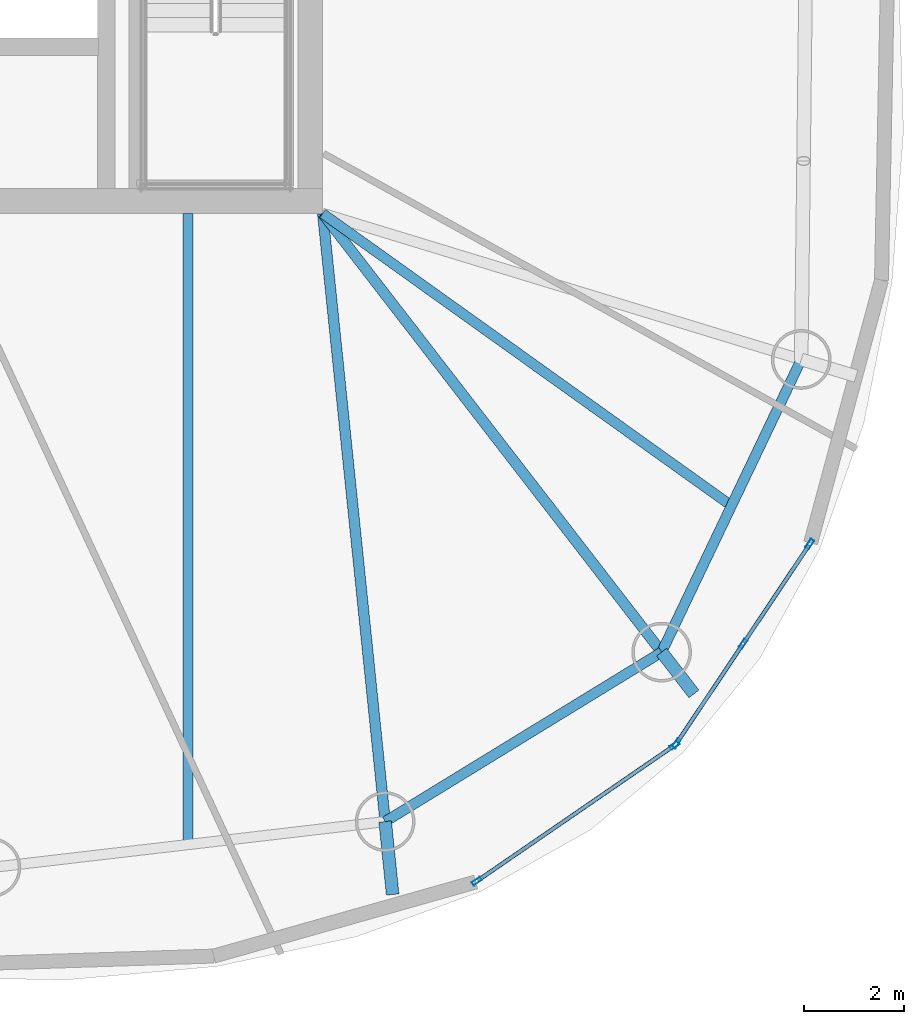
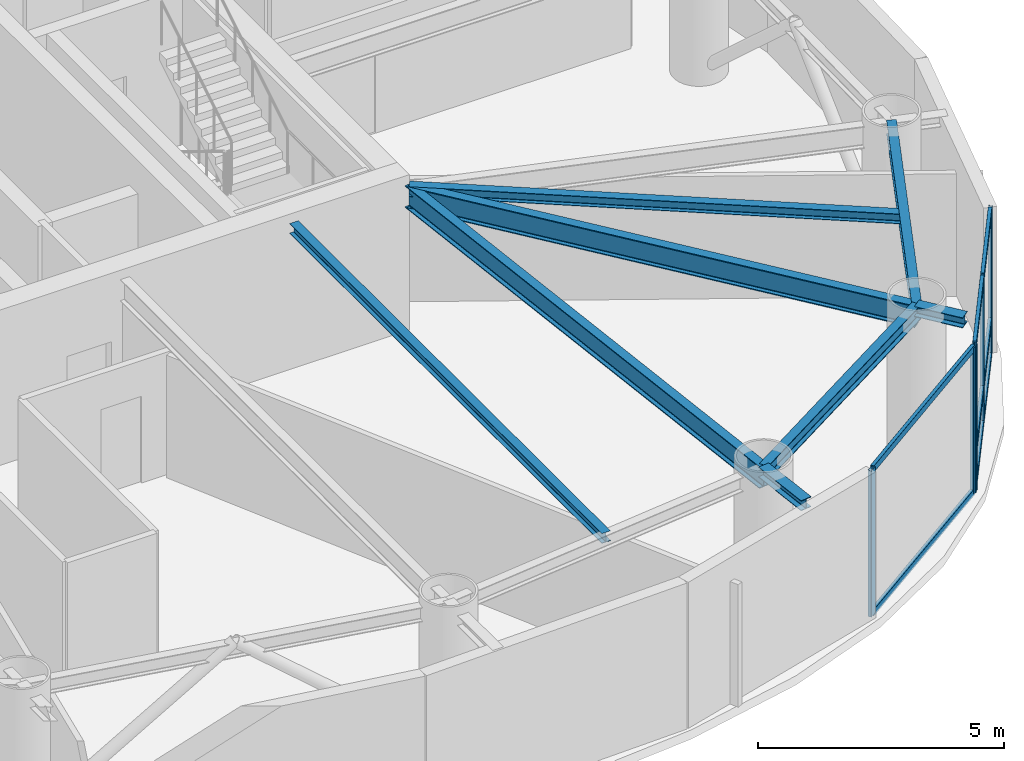
# One storey, part 4 of 16: 13 members, 8 beams, 2 elements without a shape of their own.
"""IFC4 building model written with IfcOpenShell, lengths in metres."""

import ifcopenshell
import ifcopenshell.guid

model = None  # the IFC model being written
_history = None  # IfcOwnerHistory: only IFC2X3 demands one
_inside = {}  # id of a spatial element -> (the spatial element, [elements in it])
_under = {}  # id of a project, library or spatial element -> (it, [spatial elements below it])
_declared = {}  # id of a project -> (the project, [libraries it declares])
_typed = {}  # id of a type object -> (the type object, [elements of that type])
_made_of = {}  # id of a material, layer set ... -> (it, [elements and type objects made of it])


def new_model(schema):
    """Start an empty IFC model of exactly this schema.

    Asked for "IFC4X3", IfcOpenShell would pick the latest addendum, in which some entities
    have other attributes; the version numbers below select the first issue.
    IFC2X3 requires an IfcOwnerHistory on every rooted entity: one is made here for all.
    """
    global model, _history
    if schema == "IFC4X3":
        model = ifcopenshell.file(schema_version=(4, 3, 0, 0))
    else:
        model = ifcopenshell.file(schema=schema)
    _inside.clear()
    _under.clear()
    _declared.clear()
    _typed.clear()
    _made_of.clear()
    _history = None
    if model.schema == "IFC2X3":
        org = make("IfcOrganization", Name="unknown")
        user = make(
            "IfcPersonAndOrganization",
            ThePerson=make("IfcPerson", FamilyName="unknown"),
            TheOrganization=org,
        )
        app = make(
            "IfcApplication",
            ApplicationDeveloper=org,
            Version="unknown",
            ApplicationFullName="unknown",
            ApplicationIdentifier="unknown",
        )
        _history = make(
            "IfcOwnerHistory",
            OwningUser=user,
            OwningApplication=app,
            ChangeAction="ADDED",
            CreationDate=0,
        )
    return model


def make(cls, **values):
    """One entity of the class cls with the attributes given. An attribute that is None is left unset."""
    return model.create_entity(
        cls, **{name: value for name, value in values.items() if value is not None}
    )


def rooted(cls, **values):
    """An entity with a GlobalId (a new one), such as an element, a storey or a relation."""
    return make(cls, GlobalId=ifcopenshell.guid.new(), OwnerHistory=_history, **values)


def si_unit(unit_type, name, prefix=None):
    """IfcSIUnit, for example si_unit("LENGTHUNIT", "METRE", prefix="MILLI")."""
    return make("IfcSIUnit", UnitType=unit_type, Prefix=prefix, Name=name)


def assignment(units):
    """IfcUnitAssignment: the units of a project."""
    return None if units is None else make("IfcUnitAssignment", Units=units)


def point(xyz):
    """IfcCartesianPoint."""
    return None if xyz is None else make("IfcCartesianPoint", Coordinates=xyz)


def direction(xyz):
    """IfcDirection."""
    return None if xyz is None else make("IfcDirection", DirectionRatios=xyz)


def frame(location, z_axis=None, x_axis=None):
    """IfcAxis2Placement3D, a coordinate frame: its origin and axes. An axis left out is left unset."""
    return make(
        "IfcAxis2Placement3D",
        Location=point(location),
        Axis=direction(z_axis),
        RefDirection=direction(x_axis),
    )


def frame_2d(location, x_axis=None):
    """IfcAxis2Placement2D, a coordinate frame in the plane: its origin and x axis."""
    return make(
        "IfcAxis2Placement2D", Location=point(location), RefDirection=direction(x_axis)
    )


def origin():
    """The frame at (0, 0, 0) with its axes left unset."""
    return frame((0.0, 0.0, 0.0))


def origin_2d():
    """The frame at (0, 0) in the plane with its x axis left unset."""
    return frame_2d((0.0, 0.0))


def place(relative_to, where):
    """IfcLocalPlacement: puts the frame where relative to a parent placement (None: the world)."""
    return make(
        "IfcLocalPlacement", PlacementRelTo=relative_to, RelativePlacement=where
    )


def context(
    kind, dimensions, precision=None, world=None, true_north=None, identifier=None
):
    """IfcGeometricRepresentationContext, for example the 3D "Model" context."""
    return make(
        "IfcGeometricRepresentationContext",
        ContextIdentifier=identifier,
        ContextType=kind,
        CoordinateSpaceDimension=dimensions,
        Precision=precision,
        WorldCoordinateSystem=world,
        TrueNorth=true_north,
    )


def subcontext(parent, identifier, kind, view, scale=None):
    """IfcGeometricRepresentationSubContext, for example "Body" below "Model"."""
    return make(
        "IfcGeometricRepresentationSubContext",
        ContextIdentifier=identifier,
        ContextType=kind,
        ParentContext=parent,
        TargetScale=scale,
        TargetView=view,
    )


def project(units=None, contexts=None):
    """IfcProject with its units and contexts."""
    return rooted(
        "IfcProject",
        Name="project",
        RepresentationContexts=contexts,
        UnitsInContext=assignment(units),
    )


def spatial(cls, under=None, at=None, **own):
    """A site, building, storey or space (cls), placed at a placement, below another one or the project."""
    s = rooted(cls, ObjectPlacement=at, **own)
    if under is not None:
        _under.setdefault(under.id(), (under, []))[1].append(s)
    return s


def profile(cls, at=None, kind="AREA", **sizes):
    """A parametric profile (cls). Its sizes go by their IFC names, for example OverallWidth=200.0."""
    return make(cls, ProfileType=kind, Position=at, **sizes)


def hollow_rectangle(**sizes):
    """IfcRectangleHollowProfileDef."""
    return profile("IfcRectangleHollowProfileDef", **sizes)


def i_section(**sizes):
    """IfcIShapeProfileDef."""
    return profile("IfcIShapeProfileDef", **sizes)


def extrude(swept, where, along, depth):
    """IfcExtrudedAreaSolid: the profile swept, set in the frame where, extruded along a direction by depth."""
    return make(
        "IfcExtrudedAreaSolid",
        SweptArea=swept,
        Position=where,
        ExtrudedDirection=direction(along),
        Depth=depth,
    )


def shape(context_of_items, identifier, shape_type, items):
    """IfcShapeRepresentation: the items that make up one representation, for example the "Body"."""
    return make(
        "IfcShapeRepresentation",
        ContextOfItems=context_of_items,
        RepresentationIdentifier=identifier,
        RepresentationType=shape_type,
        Items=items,
    )


def material(Name=None, Category=None):
    """IfcMaterial."""
    return make("IfcMaterial", Name=Name, Category=Category)


def layer(
    of_material, thickness, ventilated=None, Name=None, Category=None, Priority=None
):
    """IfcMaterialLayer: one layer of a wall or slab, of a material (None: an air gap)."""
    return make(
        "IfcMaterialLayer",
        Material=of_material,
        LayerThickness=thickness,
        IsVentilated=ventilated,
        Name=Name,
        Category=Category,
        Priority=Priority,
    )


def layer_set(layers, Name=None):
    """IfcMaterialLayerSet."""
    return make("IfcMaterialLayerSet", MaterialLayers=layers, LayerSetName=Name)


def material_profile(
    of_material, cross_section, Name=None, Category=None, Priority=None
):
    """IfcMaterialProfile: a cross section and its material."""
    return make(
        "IfcMaterialProfile",
        Name=Name,
        Material=of_material,
        Profile=cross_section,
        Priority=Priority,
        Category=Category,
    )


def profile_set(profiles, Name=None, composite=None):
    """IfcMaterialProfileSet."""
    return make(
        "IfcMaterialProfileSet",
        Name=Name,
        MaterialProfiles=profiles,
        CompositeProfile=composite,
    )


def made_of(thing, what):
    """Note that an element or type object is made of a material, layer set ...; save() writes the relation."""
    if what is not None:
        _made_of.setdefault(what.id(), (what, []))[1].append(thing)
    return thing


def type_object(cls, material=None, **own):
    """A type object (cls), such as IfcWallType, which elements share."""
    return made_of(rooted(cls, **own), material)


def element(
    cls,
    number,
    at=None,
    inside=None,
    cuts=None,
    type_object=None,
    material=None,
    context=None,
    identifier="Body",
    shape_type=None,
    held_by="IfcProductDefinitionShape",
    body=None,
    shapes=None,
    **own,
):
    """One element of the class cls, such as IfcWall. Its Tag is "e" and its number.

    at: its placement. inside: the storey or other place that contains it. cuts: it is an
    opening in that element (IfcRelVoidsElement). A single representation is given by context,
    identifier, shape_type and body (its items); several are given by shapes. held_by: the class
    of the entity that holds the representations. save() writes the other relations.
    """
    e = rooted(cls, Tag="e%d" % number, ObjectPlacement=at, **own)
    if body is not None:
        shapes = [shape(context, identifier, shape_type, body)]
    if shapes is not None:
        e.Representation = make(held_by, Representations=shapes)
    if inside is not None:
        _inside.setdefault(inside.id(), (inside, []))[1].append(e)
    if cuts is not None:
        rooted(
            "IfcRelVoidsElement", RelatingBuildingElement=cuts, RelatedOpeningElement=e
        )
    if type_object is not None:
        _typed.setdefault(type_object.id(), (type_object, []))[1].append(e)
    return made_of(e, material)


def aggregate(whole, parts):
    """IfcRelAggregates: a whole, such as a stair, and the parts it consists of."""
    return rooted("IfcRelAggregates", RelatingObject=whole, RelatedObjects=parts)


def save(model, path):
    """Write the relations noted so far, then the file.

    IfcRelAggregates (storeys below a building ...), IfcRelContainedInSpatialStructure (elements
    in a storey), IfcRelDefinesByType, IfcRelAssociatesMaterial and IfcRelDeclares: one each for
    every whole, place, type object, material and project.
    """
    for whole, parts in _under.values():
        aggregate(whole, parts)
    for where, things in _inside.values():
        rooted(
            "IfcRelContainedInSpatialStructure",
            RelatedElements=things,
            RelatingStructure=where,
        )
    for kind, things in _typed.values():
        rooted("IfcRelDefinesByType", RelatedObjects=things, RelatingType=kind)
    for what, things in _made_of.values():
        rooted("IfcRelAssociatesMaterial", RelatedObjects=things, RelatingMaterial=what)
    for by, libraries in _declared.values():
        rooted("IfcRelDeclares", RelatingContext=by, RelatedDefinitions=libraries)
    model.write(path)


model = new_model("IFC4")

# Units and contexts
model_context = context("Model", 3, precision=1e-05, world=origin(), true_north=direction((0.0, 1.0)))
body_context = subcontext(model_context, "Body", "Model", "MODEL_VIEW")
ifc_project = project(units=[si_unit("LENGTHUNIT", "METRE"), si_unit("AREAUNIT", "SQUARE_METRE"), si_unit("VOLUMEUNIT", "CUBIC_METRE"), si_unit("PLANEANGLEUNIT", "RADIAN"), si_unit("MASSUNIT", "GRAM", prefix="KILO")], contexts=[model_context])

# Site, building, storey
site_placement = place(None, origin())
site = spatial("IfcSite", under=ifc_project, at=site_placement, CompositionType="ELEMENT")
building_placement = place(site_placement, origin())
building = spatial("IfcBuilding", under=site, at=building_placement, Name="Bramvorn Convention Spire", CompositionType="ELEMENT")
storey_placement = place(building_placement, frame((0.0, 0.0, 209.699951171875)))
storey = spatial("IfcBuildingStorey", under=building, at=storey_placement, Name="L53", CompositionType="ELEMENT", Elevation=209.699951171875)

# Beams
ifc_material_1 = material(Name="Steel CSA G40.21 Grade 350 (350W)", Category="steel")
ifc_material_profile_1 = material_profile(ifc_material_1, i_section(OverallWidth=0.201904296875, OverallDepth=0.2470703125, WebThickness=0.00732421875, FlangeThickness=0.010986328125, FilletRadius=0.011962890625, at=origin_2d()))
ifc_profile_set_1 = profile_set([ifc_material_profile_1], Name="Steel CSA G40.21 Grade 350 (350W) - W250X49")
beam_type_1 = type_object("IfcBeamType", Name="BM-W250X49", PredefinedType="JOIST", material=ifc_profile_set_1)
beam_1_placement = place(storey_placement, frame((49.25, 18.550048828125, 3.49658203125), z_axis=(0.813471895271, -0.581604225916, 0.0), x_axis=(0.581604225916, 0.813471895271, 0.0)))
element("IfcBeam", 1, at=beam_1_placement, inside=storey, type_object=beam_type_1, Name="L53 composite floor joist 01", PredefinedType="JOIST", context=body_context, shape_type="SweptSolid", body=[
    extrude(i_section(OverallWidth=0.201904296875, OverallDepth=0.2470703125, WebThickness=0.00732421875, FlangeThickness=0.010986328125, FilletRadius=0.011962890625, at=origin_2d()), origin(), (0.0, 0.0, 1.0), 10.093505859375),
])
beam_2_placement = place(storey_placement, frame((46.544189453125, 18.550048828125, 3.49658203125), z_axis=(0.0, -1.0, 0.0), x_axis=(1.0, 0.0, 0.0)))
element("IfcBeam", 2, at=beam_2_placement, inside=storey, type_object=beam_type_1, Name="L53 composite floor joist 15", PredefinedType="JOIST", context=body_context, shape_type="SweptSolid", body=[
    extrude(i_section(OverallWidth=0.201904296875, OverallDepth=0.2470703125, WebThickness=0.00732421875, FlangeThickness=0.010986328125, FilletRadius=0.011962890625, at=origin_2d()), origin(), (0.0, 0.0, 1.0), 12.67626953125),
])
ifc_material_profile_2 = material_profile(ifc_material_1, i_section(OverallWidth=0.25390625, OverallDepth=0.2529296875, WebThickness=0.008544921875, FlangeThickness=0.01416015625, FilletRadius=0.011962890625, at=origin_2d()))
ifc_profile_set_2 = profile_set([ifc_material_profile_2], Name="Steel CSA G40.21 Grade 350 (350W) - W250X73")
beam_type_2 = type_object("IfcBeamType", Name="BM-W250X73", PredefinedType="BEAM", material=ifc_profile_set_2)
beam_3_placement = place(storey_placement, frame((56.058349609375, 9.739990234375, 3.49365234375), z_axis=(0.611611270337, -0.791158425347, 0.0), x_axis=(0.791158425347, 0.611611270337, 0.0)))
element("IfcBeam", 3, at=beam_3_placement, inside=storey, type_object=beam_type_2, Name="L53 slab-edge cantilever tip beam MC01", PredefinedType="BEAM", context=body_context, shape_type="SweptSolid", body=[
    extrude(i_section(OverallWidth=0.25390625, OverallDepth=0.2529296875, WebThickness=0.008544921875, FlangeThickness=0.01416015625, FilletRadius=0.011962890625, at=origin_2d()), origin(), (0.0, 0.0, 1.0), 1.060546875),
])
beam_4_placement = place(storey_placement, frame((50.50439453125, 6.336181640625, 3.49365234375), z_axis=(0.102209608591, -0.994762884265, 0.0), x_axis=(0.994762884265, 0.102209608591, 0.0)))
element("IfcBeam", 4, at=beam_4_placement, inside=storey, type_object=beam_type_2, Name="L53 slab-edge cantilever tip beam MC16", PredefinedType="BEAM", context=body_context, shape_type="SweptSolid", body=[
    extrude(i_section(OverallWidth=0.25390625, OverallDepth=0.2529296875, WebThickness=0.008544921875, FlangeThickness=0.01416015625, FilletRadius=0.011962890625, at=origin_2d()), origin(), (0.0, 0.0, 1.0), 1.473876953125),
])
ifc_material_profile_3 = material_profile(ifc_material_1, i_section(OverallWidth=0.205078125, OverallDepth=0.35400390625, WebThickness=0.009521484375, FlangeThickness=0.016845703125, FilletRadius=0.014892578125, at=origin_2d()))
ifc_profile_set_3 = profile_set([ifc_material_profile_3], Name="Steel CSA G40.21 Grade 350 (350W) - W360X79")
beam_type_3 = type_object("IfcBeamType", Name="BM-W360X79", PredefinedType="JOIST", material=ifc_profile_set_3)
beam_5_placement = place(storey_placement, frame((56.058349609375, 9.739990234375, 3.443115234375), z_axis=(0.430556138422, 0.902563799223, 0.0), x_axis=(-0.902563799223, 0.430556138422, 0.0)))
element("IfcBeam", 5, at=beam_5_placement, inside=storey, type_object=beam_type_3, Name="L53 mega-column ring beam 01", PredefinedType="JOIST", context=body_context, shape_type="SweptSolid", body=[
    extrude(i_section(OverallWidth=0.205078125, OverallDepth=0.35400390625, WebThickness=0.009521484375, FlangeThickness=0.016845703125, FilletRadius=0.014892578125, at=origin_2d()), origin(), (0.0, 0.0, 1.0), 6.51416015625),
])
beam_6_placement = place(storey_placement, frame((50.50439453125, 6.336181640625, 3.443115234375), z_axis=(0.852616873135, 0.522536570629, 0.0), x_axis=(-0.522536570629, 0.852616873135, 0.0)))
element("IfcBeam", 6, at=beam_6_placement, inside=storey, type_object=beam_type_3, Name="L53 mega-column ring beam 16", PredefinedType="JOIST", context=body_context, shape_type="SweptSolid", body=[
    extrude(i_section(OverallWidth=0.205078125, OverallDepth=0.35400390625, WebThickness=0.009521484375, FlangeThickness=0.016845703125, FilletRadius=0.014892578125, at=origin_2d()), origin(), (0.0, 0.0, 1.0), 6.513916015625),
])
ifc_material_profile_4 = material_profile(ifc_material_1, i_section(OverallWidth=0.2119140625, OverallDepth=0.5439453125, WebThickness=0.01318359375, FlangeThickness=0.021240234375, FilletRadius=0.01904296875, at=origin_2d()))
ifc_profile_set_4 = profile_set([ifc_material_profile_4], Name="Steel CSA G40.21 Grade 350 (350W) - W530X123")
beam_type_4 = type_object("IfcBeamType", Name="BM-W530X123", PredefinedType="BEAM", material=ifc_profile_set_4)
beam_7_placement = place(storey_placement, frame((49.25, 18.550048828125, 3.34814453125), z_axis=(0.611479951477, -0.791259925019, 0.0), x_axis=(0.791259925019, 0.611479951477, 0.0)))
element("IfcBeam", 7, at=beam_7_placement, inside=storey, type_object=beam_type_4, Name="L53 radial floor girder MC01", PredefinedType="BEAM", context=body_context, shape_type="SweptSolid", body=[
    extrude(i_section(OverallWidth=0.2119140625, OverallDepth=0.5439453125, WebThickness=0.01318359375, FlangeThickness=0.021240234375, FilletRadius=0.01904296875, at=origin_2d()), origin(), (0.0, 0.0, 1.0), 11.13427734375),
])
beam_8_placement = place(storey_placement, frame((49.25, 18.550048828125, 3.34814453125), z_axis=(0.10216509146, -0.994767457292, 0.0), x_axis=(0.994767457292, 0.10216509146, 0.0)))
element("IfcBeam", 8, at=beam_8_placement, inside=storey, type_object=beam_type_4, Name="L53 radial floor girder MC16", PredefinedType="BEAM", context=body_context, shape_type="SweptSolid", body=[
    extrude(i_section(OverallWidth=0.2119140625, OverallDepth=0.5439453125, WebThickness=0.01318359375, FlangeThickness=0.021240234375, FilletRadius=0.01904296875, at=origin_2d()), origin(), (0.0, 0.0, 1.0), 12.278076171875),
])

# Curtain wall, members
ifc_material_2 = material(Name="Anodised Bronze Unitised Curtain Wall", Category="aluminium")
ifc_layer = layer(ifc_material_2, 0.179931640625)
ifc_layer_set = layer_set([ifc_layer], Name="Anodised Bronze Unitised Curtain Wall - CW-OFF-FRIT")
curtain_wall_type = type_object("IfcCurtainWallType", Name="CW-OFF-FRIT", PredefinedType="USERDEFINED", material=ifc_layer_set)
curtain_wall_1_placement = place(storey_placement, origin())
curtain_wall_1 = element("IfcCurtainWall", 9, at=curtain_wall_1_placement, inside=storey, type_object=curtain_wall_type, Name="L53 fritted glass curtain wall 01", ObjectType="UNITISED CURTAIN WALL", PredefinedType="USERDEFINED")
ifc_material_3 = material(Name="Anodised Bronze Aluminium 6063-T6", Category="aluminium")
ifc_material_profile_5 = material_profile(ifc_material_3, hollow_rectangle(XDim=0.080078125, YDim=0.199951171875, WallThickness=0.00390625, InnerFilletRadius=0.0009765625, OuterFilletRadius=0.00390625, at=origin_2d()))
ifc_profile_set_5 = profile_set([ifc_material_profile_5], Name="Anodised Bronze Aluminium 6063-T6 - CWM80X200")
member_type_1 = type_object("IfcMemberType", Name="CW-MUL-180", PredefinedType="MULLION", material=ifc_profile_set_5)
member_1_placement = place(storey_placement, frame((59.034912109375, 11.910400390625, 0.0), z_axis=(0.0, 0.0, 1.0), x_axis=(0.831143705963, -0.5560576769, 0.0)))
member_1 = element("IfcMember", 10, at=member_1_placement, type_object=member_type_1, Name="CW3 mullion 1", PredefinedType="MULLION", context=body_context, shape_type="SweptSolid", body=[
    extrude(hollow_rectangle(XDim=0.080078125, YDim=0.199951171875, WallThickness=0.00390625, InnerFilletRadius=0.0009765625, OuterFilletRadius=0.00390625, at=origin_2d()), origin(), (0.0, 0.0, 1.0), 3.6201171875),
])
member_2_placement = place(storey_placement, frame((57.696044921875, 9.908935546875, 0.0), z_axis=(0.0, 0.0, 1.0), x_axis=(0.831143705963, -0.5560576769, 0.0)))
member_2 = element("IfcMember", 11, at=member_2_placement, type_object=member_type_1, Name="CW3 mullion 2", PredefinedType="MULLION", context=body_context, shape_type="SweptSolid", body=[
    extrude(hollow_rectangle(XDim=0.080078125, YDim=0.199951171875, WallThickness=0.00390625, InnerFilletRadius=0.0009765625, OuterFilletRadius=0.00390625, at=origin_2d()), origin(), (0.0, 0.0, 1.0), 3.6201171875),
])
member_3_placement = place(storey_placement, frame((56.35693359375, 7.907470703125, 0.0), z_axis=(0.0, 0.0, 1.0), x_axis=(0.831143705963, -0.5560576769, 0.0)))
member_3 = element("IfcMember", 12, at=member_3_placement, type_object=member_type_1, Name="CW3 mullion 3", PredefinedType="MULLION", context=body_context, shape_type="SweptSolid", body=[
    extrude(hollow_rectangle(XDim=0.080078125, YDim=0.199951171875, WallThickness=0.00390625, InnerFilletRadius=0.0009765625, OuterFilletRadius=0.00390625, at=origin_2d()), origin(), (0.0, 0.0, 1.0), 3.6201171875),
])

curtain_wall_2_placement = place(storey_placement, origin())
curtain_wall_2 = element("IfcCurtainWall", 13, at=curtain_wall_2_placement, inside=storey, type_object=curtain_wall_type, Name="L53 fritted glass curtain wall 24", ObjectType="UNITISED CURTAIN WALL", PredefinedType="USERDEFINED")
member_4_placement = place(storey_placement, frame((56.3154296875, 7.865478515625, 0.0), z_axis=(0.0, 0.0, 1.0), x_axis=(0.56616583749, -0.824291358962, 0.0)))
member_4 = element("IfcMember", 14, at=member_4_placement, type_object=member_type_1, Name="CW3 mullion 1", PredefinedType="MULLION", context=body_context, shape_type="SweptSolid", body=[
    extrude(hollow_rectangle(XDim=0.080078125, YDim=0.199951171875, WallThickness=0.00390625, InnerFilletRadius=0.0009765625, OuterFilletRadius=0.00390625, at=origin_2d()), origin(), (0.0, 0.0, 1.0), 3.6201171875),
])
member_5_placement = place(storey_placement, frame((52.345458984375, 5.138671875, 0.0), z_axis=(0.0, 0.0, 1.0), x_axis=(0.56616583749, -0.824291358962, 0.0)))
member_5 = element("IfcMember", 15, at=member_5_placement, type_object=member_type_1, Name="CW3 mullion 2", PredefinedType="MULLION", context=body_context, shape_type="SweptSolid", body=[
    extrude(hollow_rectangle(XDim=0.080078125, YDim=0.199951171875, WallThickness=0.00390625, InnerFilletRadius=0.0009765625, OuterFilletRadius=0.00390625, at=origin_2d()), origin(), (0.0, 0.0, 1.0), 3.6201171875),
])

# Member
ifc_material_profile_6 = material_profile(ifc_material_3, hollow_rectangle(XDim=0.080078125, YDim=0.159912109375, WallThickness=0.00390625, InnerFilletRadius=0.0009765625, OuterFilletRadius=0.00390625, at=origin_2d()))
ifc_profile_set_6 = profile_set([ifc_material_profile_6], Name="Anodised Bronze Aluminium 6063-T6 - CWT80X160")
member_type_2 = type_object("IfcMemberType", Name="CW-TRN-150", PredefinedType="USERDEFINED", material=ifc_profile_set_6)
member_6_placement = place(storey_placement, frame((59.018310546875, 11.885498046875, 0.030029296875), z_axis=(-0.556043113189, -0.831153449295, 0.0), x_axis=(0.831153449295, -0.556043113189, 0.0)))
member_6 = element("IfcMember", 16, at=member_6_placement, type_object=member_type_2, Name="CW3 transom 1.1", ObjectType="TRANSOM", PredefinedType="USERDEFINED", context=body_context, shape_type="SweptSolid", body=[
    extrude(hollow_rectangle(XDim=0.080078125, YDim=0.159912109375, WallThickness=0.00390625, InnerFilletRadius=0.0009765625, OuterFilletRadius=0.00390625, at=origin_2d()), origin(), (0.0, 0.0, 1.0), 2.34814453125),
])

member_7_placement = place(storey_placement, frame((59.018310546875, 11.885498046875, 0.900146484375), z_axis=(-0.556043113189, -0.831153449295, 0.0), x_axis=(0.831153449295, -0.556043113189, 0.0)))
member_7 = element("IfcMember", 17, at=member_7_placement, type_object=member_type_2, Name="CW3 transom 1.2", ObjectType="TRANSOM", PredefinedType="USERDEFINED", context=body_context, shape_type="SweptSolid", body=[
    extrude(hollow_rectangle(XDim=0.080078125, YDim=0.159912109375, WallThickness=0.00390625, InnerFilletRadius=0.0009765625, OuterFilletRadius=0.00390625, at=origin_2d()), origin(), (0.0, 0.0, 1.0), 2.34814453125),
])

member_8_placement = place(storey_placement, frame((59.018310546875, 11.885498046875, 3.590087890625), z_axis=(-0.556043113189, -0.831153449295, 0.0), x_axis=(0.831153449295, -0.556043113189, 0.0)))
member_8 = element("IfcMember", 18, at=member_8_placement, type_object=member_type_2, Name="CW3 transom 1.3", ObjectType="TRANSOM", PredefinedType="USERDEFINED", context=body_context, shape_type="SweptSolid", body=[
    extrude(hollow_rectangle(XDim=0.080078125, YDim=0.159912109375, WallThickness=0.00390625, InnerFilletRadius=0.0009765625, OuterFilletRadius=0.00390625, at=origin_2d()), origin(), (0.0, 0.0, 1.0), 2.34814453125),
])

member_9_placement = place(storey_placement, frame((57.67919921875, 9.884033203125, 0.030029296875), z_axis=(-0.556043113189, -0.831153449295, 0.0), x_axis=(0.831153449295, -0.556043113189, 0.0)))
member_9 = element("IfcMember", 19, at=member_9_placement, type_object=member_type_2, Name="CW3 transom 2.1", ObjectType="TRANSOM", PredefinedType="USERDEFINED", context=body_context, shape_type="SweptSolid", body=[
    extrude(hollow_rectangle(XDim=0.080078125, YDim=0.159912109375, WallThickness=0.00390625, InnerFilletRadius=0.0009765625, OuterFilletRadius=0.00390625, at=origin_2d()), origin(), (0.0, 0.0, 1.0), 2.34814453125),
])

member_10_placement = place(storey_placement, frame((57.67919921875, 9.884033203125, 0.900146484375), z_axis=(-0.556043113189, -0.831153449295, 0.0), x_axis=(0.831153449295, -0.556043113189, 0.0)))
member_10 = element("IfcMember", 20, at=member_10_placement, type_object=member_type_2, Name="CW3 transom 2.2", ObjectType="TRANSOM", PredefinedType="USERDEFINED", context=body_context, shape_type="SweptSolid", body=[
    extrude(hollow_rectangle(XDim=0.080078125, YDim=0.159912109375, WallThickness=0.00390625, InnerFilletRadius=0.0009765625, OuterFilletRadius=0.00390625, at=origin_2d()), origin(), (0.0, 0.0, 1.0), 2.34814453125),
])

member_11_placement = place(storey_placement, frame((57.67919921875, 9.884033203125, 3.590087890625), z_axis=(-0.556043113189, -0.831153449295, 0.0), x_axis=(0.831153449295, -0.556043113189, 0.0)))
member_11 = element("IfcMember", 21, at=member_11_placement, type_object=member_type_2, Name="CW3 transom 2.3", ObjectType="TRANSOM", PredefinedType="USERDEFINED", context=body_context, shape_type="SweptSolid", body=[
    extrude(hollow_rectangle(XDim=0.080078125, YDim=0.159912109375, WallThickness=0.00390625, InnerFilletRadius=0.0009765625, OuterFilletRadius=0.00390625, at=origin_2d()), origin(), (0.0, 0.0, 1.0), 2.34814453125),
])

aggregate(curtain_wall_1, [member_1, member_2, member_3, member_6, member_7, member_8, member_9, member_10, member_11])

member_12_placement = place(storey_placement, frame((56.290771484375, 7.8486328125, 0.030029296875), z_axis=(-0.824294947808, -0.566160612387, 0.0), x_axis=(0.566160612387, -0.824294947808, 0.0)))
member_12 = element("IfcMember", 22, at=member_12_placement, type_object=member_type_2, Name="CW3 transom 1.1", ObjectType="TRANSOM", PredefinedType="USERDEFINED", context=body_context, shape_type="SweptSolid", body=[
    extrude(hollow_rectangle(XDim=0.080078125, YDim=0.159912109375, WallThickness=0.00390625, InnerFilletRadius=0.0009765625, OuterFilletRadius=0.00390625, at=origin_2d()), origin(), (0.0, 0.0, 1.0), 4.75634765625),
])

member_13_placement = place(storey_placement, frame((56.290771484375, 7.8486328125, 3.590087890625), z_axis=(-0.824294947808, -0.566160612387, 0.0), x_axis=(0.566160612387, -0.824294947808, 0.0)))
member_13 = element("IfcMember", 23, at=member_13_placement, type_object=member_type_2, Name="CW3 transom 1.2", ObjectType="TRANSOM", PredefinedType="USERDEFINED", context=body_context, shape_type="SweptSolid", body=[
    extrude(hollow_rectangle(XDim=0.080078125, YDim=0.159912109375, WallThickness=0.00390625, InnerFilletRadius=0.0009765625, OuterFilletRadius=0.00390625, at=origin_2d()), origin(), (0.0, 0.0, 1.0), 4.75634765625),
])

aggregate(curtain_wall_2, [member_4, member_5, member_12, member_13])

save(model, "model.ifc")
